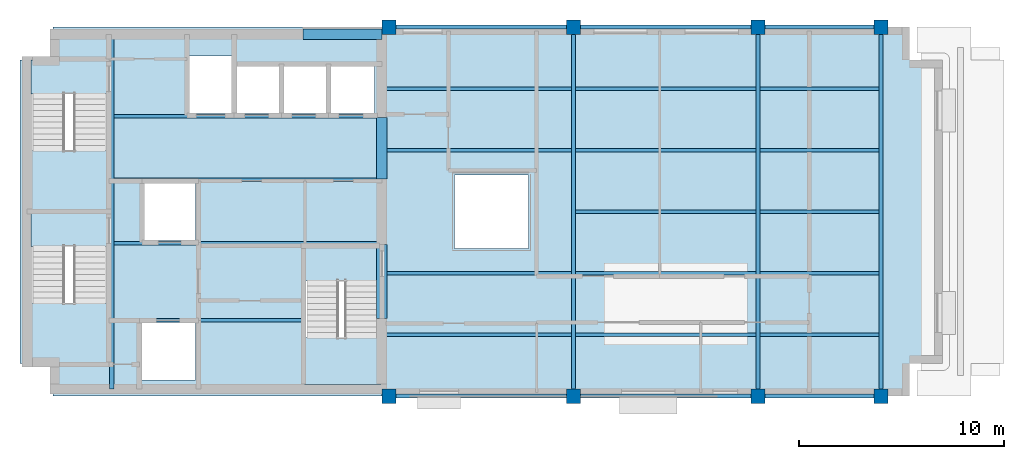
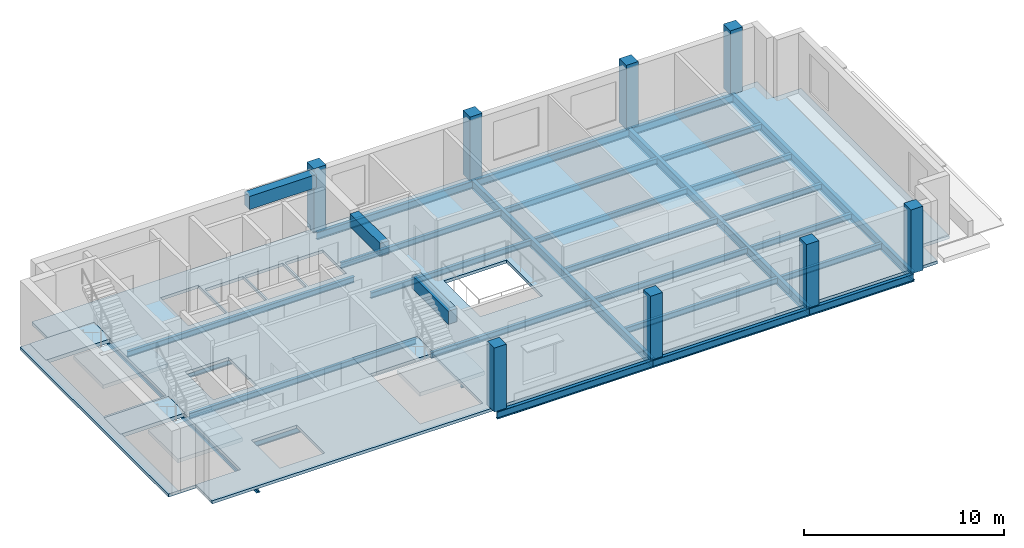
# One storey, part 1 of 5: 31 beams, 8 columns, 7 slabs, 3 elements without a shape of their own.
"""IFC4 building model written with IfcOpenShell, lengths in metres."""

from ifc_helpers import new_model, si_unit, direction, frame, origin, origin_2d, place, context, subcontext, project, spatial, polyline, rectangle, i_section, outline, extrude, material, layer, layer_set, material_profile, profile_set, type_object, element, aggregate, save


model = new_model("IFC4")

# Units and contexts
model_context = context("Model", 3, precision=1e-05, world=origin(), true_north=direction((0.0, 1.0)))
body_context = subcontext(model_context, "Body", "Model", "MODEL_VIEW")
ifc_project = project(units=[si_unit("LENGTHUNIT", "METRE"), si_unit("AREAUNIT", "SQUARE_METRE"), si_unit("VOLUMEUNIT", "CUBIC_METRE"), si_unit("PLANEANGLEUNIT", "RADIAN"), si_unit("MASSUNIT", "GRAM", prefix="KILO")], contexts=[model_context])

# Site, building, storey
site_placement = place(None, origin())
site = spatial("IfcSite", under=ifc_project, at=site_placement, CompositionType="ELEMENT")
building_placement = place(site_placement, origin())
building = spatial("IfcBuilding", under=site, at=building_placement, Name="Mawjdan Bourse Tower", CompositionType="ELEMENT")
storey_placement = place(building_placement, frame((0.0, 0.0, 285.89990234375)))
storey = spatial("IfcBuildingStorey", under=building, at=storey_placement, Name="L70", CompositionType="ELEMENT", Elevation=285.89990234375)

# Columns
ifc_material_1 = material(Name="Concrete C60/75", Category="concrete")
ifc_material_profile_1 = material_profile(ifc_material_1, rectangle(XDim=0.699951171875, YDim=0.699951171875, at=origin_2d()), Name="RC700X700")
ifc_profile_set_1 = profile_set([ifc_material_profile_1], Name="Concrete C60/75")
column_type = type_object("IfcColumnType", Name="COL-RC700X700", PredefinedType="COLUMN", material=ifc_profile_set_1)
for number, where, z_axis, x_axis, name in (
    (1, (24.0, 3.0, 0.0), (0.0, 0.0, 1.0), (1.0, 0.0, 0.0), "L70 Structural Column C-X240-Y30"),
    (2, (24.0, 21.0, 0.0), (0.0, 0.0, 1.0), (1.0, 0.0, 0.0), "L70 Structural Column C-X240-Y210"),
    (3, (33.0, 3.0, 0.0), (0.0, 0.0, 1.0), (1.0, 0.0, 0.0), "L70 Structural Column C-X330-Y30"),
    (4, (33.0, 21.0, 0.0), (0.0, 0.0, 1.0), (1.0, 0.0, 0.0), "L70 Structural Column C-X330-Y210"),
    (5, (42.0, 3.0, 0.0), (0.0, 0.0, 1.0), (1.0, 0.0, 0.0), "L70 Structural Column C-X420-Y30"),
    (6, (42.0, 21.0, 0.0), (0.0, 0.0, 1.0), (1.0, 0.0, 0.0), "L70 Structural Column C-X420-Y210"),
    (7, (48.0, 3.0, 0.0), (0.0, 0.0, 1.0), (1.0, 0.0, 0.0), "L70 Structural Column C-X480-Y30"),
    (8, (48.0, 21.0, 0.0), (0.0, 0.0, 1.0), (1.0, 0.0, 0.0), "L70 Structural Column C-X480-Y210"),
):
    element("IfcColumn", number, at=place(storey_placement, frame(where, z_axis=z_axis, x_axis=x_axis)), inside=storey, type_object=column_type, Name=name, PredefinedType="COLUMN", context=body_context, shape_type="SweptSolid", body=[
        extrude(rectangle(XDim=0.699951171875, YDim=0.699951171875, at=origin_2d()), origin(), (0.0, 0.0, 1.0), 3.900146484375),
    ])

# Beams
ifc_material_2 = material(Name="Structural Steel S355", Category="steel")
ifc_material_profile_2 = material_profile(ifc_material_2, i_section(OverallWidth=0.2099609375, OverallDepth=0.537109375, WebThickness=0.010986328125, FlangeThickness=0.017333984375, FilletRadius=0.013916015625, at=origin_2d()), Name="W21X68")
ifc_profile_set_2 = profile_set([ifc_material_profile_2], Name="Structural Steel S355")
beam_type_1 = type_object("IfcBeamType", Name="GRD-W21X68", PredefinedType="BEAM", material=ifc_profile_set_2)
beam_1_placement = place(storey_placement, frame((10.47998046875, 3.35009765625, -0.453369140625), z_axis=(0.0, 1.0, 0.0), x_axis=(-1.0, 0.0, 0.0)))
element("IfcBeam", 9, at=beam_1_placement, inside=storey, type_object=beam_type_1, Name="L70 Core Stair Trimmer Girder 001", PredefinedType="BEAM", context=body_context, shape_type="SweptSolid", body=[
    extrude(i_section(OverallWidth=0.2099609375, OverallDepth=0.537109375, WebThickness=0.010986328125, FlangeThickness=0.017333984375, FilletRadius=0.013916015625, at=origin_2d()), origin(), (0.0, 0.0, 1.0), 17.2998046875),
])
for number, where, z_axis, x_axis, name in (
    (10, (33.0, 3.0, -0.453369140625), (0.0, 1.0, 0.0), (-1.0, 0.0, 0.0), "L70 East Wing Clear-Span Girder 002"),
    (11, (42.0, 3.0, -0.453369140625), (0.0, 1.0, 0.0), (-1.0, 0.0, 0.0), "L70 East Wing Clear-Span Girder 003"),
    (12, (48.0, 3.0, -0.453369140625), (0.0, 1.0, 0.0), (-1.0, 0.0, 0.0), "L70 East Wing Clear-Span Girder 004"),
):
    element("IfcBeam", number, at=place(storey_placement, frame(where, z_axis=z_axis, x_axis=x_axis)), inside=storey, type_object=beam_type_1, Name=name, PredefinedType="BEAM", context=body_context, shape_type="SweptSolid", body=[
        extrude(i_section(OverallWidth=0.2099609375, OverallDepth=0.537109375, WebThickness=0.010986328125, FlangeThickness=0.017333984375, FilletRadius=0.013916015625, at=origin_2d()), origin(), (0.0, 0.0, 1.0), 18.0),
    ])
ifc_material_profile_3 = material_profile(ifc_material_2, i_section(OverallWidth=0.1708984375, OverallDepth=0.35107421875, WebThickness=0.0068359375, FlangeThickness=0.009765625, FilletRadius=0.0078125, at=origin_2d()), Name="W14X30")
ifc_profile_set_3 = profile_set([ifc_material_profile_3], Name="Structural Steel S355")
beam_type_2 = type_object("IfcBeamType", Name="JST-W14X30", PredefinedType="JOIST", material=ifc_profile_set_3)
beam_2_placement = place(storey_placement, frame((23.64990234375, 6.0, -0.3603515625), z_axis=(1.0, 0.0, 0.0), x_axis=(0.0, 1.0, 0.0)))
element("IfcBeam", 13, at=beam_2_placement, inside=storey, type_object=beam_type_2, Name="L70 East Wing Composite Joist 011", PredefinedType="JOIST", context=body_context, shape_type="SweptSolid", body=[
    extrude(i_section(OverallWidth=0.1708984375, OverallDepth=0.35107421875, WebThickness=0.0068359375, FlangeThickness=0.009765625, FilletRadius=0.0078125, at=origin_2d()), origin(), (0.0, 0.0, 1.0), 9.2470703125),
])
beam_3_placement = place(storey_placement, frame((33.10302734375, 6.0, -0.3603515625), z_axis=(1.0, 0.0, 0.0), x_axis=(0.0, 1.0, 0.0)))
element("IfcBeam", 14, at=beam_3_placement, inside=storey, type_object=beam_type_2, Name="L70 East Wing Composite Joist 012", PredefinedType="JOIST", context=body_context, shape_type="SweptSolid", body=[
    extrude(i_section(OverallWidth=0.1708984375, OverallDepth=0.35107421875, WebThickness=0.0068359375, FlangeThickness=0.009765625, FilletRadius=0.0078125, at=origin_2d()), origin(), (0.0, 0.0, 1.0), 8.7939453125),
])
beam_4_placement = place(storey_placement, frame((42.10302734375, 6.0, -0.3603515625), z_axis=(1.0, 0.0, 0.0), x_axis=(0.0, 1.0, 0.0)))
element("IfcBeam", 15, at=beam_4_placement, inside=storey, type_object=beam_type_2, Name="L70 East Wing Composite Joist 013", PredefinedType="JOIST", context=body_context, shape_type="SweptSolid", body=[
    extrude(i_section(OverallWidth=0.1708984375, OverallDepth=0.35107421875, WebThickness=0.0068359375, FlangeThickness=0.009765625, FilletRadius=0.0078125, at=origin_2d()), origin(), (0.0, 0.0, 1.0), 5.7939453125),
])
beam_5_placement = place(storey_placement, frame((23.64990234375, 9.0, -0.3603515625), z_axis=(1.0, 0.0, 0.0), x_axis=(0.0, 1.0, 0.0)))
element("IfcBeam", 16, at=beam_5_placement, inside=storey, type_object=beam_type_2, Name="L70 East Wing Composite Joist 014", PredefinedType="JOIST", context=body_context, shape_type="SweptSolid", body=[
    extrude(i_section(OverallWidth=0.1708984375, OverallDepth=0.35107421875, WebThickness=0.0068359375, FlangeThickness=0.009765625, FilletRadius=0.0078125, at=origin_2d()), origin(), (0.0, 0.0, 1.0), 9.2470703125),
])
beam_6_placement = place(storey_placement, frame((33.10302734375, 9.0, -0.3603515625), z_axis=(1.0, 0.0, 0.0), x_axis=(0.0, 1.0, 0.0)))
element("IfcBeam", 17, at=beam_6_placement, inside=storey, type_object=beam_type_2, Name="L70 East Wing Composite Joist 015", PredefinedType="JOIST", context=body_context, shape_type="SweptSolid", body=[
    extrude(i_section(OverallWidth=0.1708984375, OverallDepth=0.35107421875, WebThickness=0.0068359375, FlangeThickness=0.009765625, FilletRadius=0.0078125, at=origin_2d()), origin(), (0.0, 0.0, 1.0), 8.7939453125),
])
beam_7_placement = place(storey_placement, frame((42.10302734375, 9.0, -0.3603515625), z_axis=(1.0, 0.0, 0.0), x_axis=(0.0, 1.0, 0.0)))
element("IfcBeam", 18, at=beam_7_placement, inside=storey, type_object=beam_type_2, Name="L70 East Wing Composite Joist 016", PredefinedType="JOIST", context=body_context, shape_type="SweptSolid", body=[
    extrude(i_section(OverallWidth=0.1708984375, OverallDepth=0.35107421875, WebThickness=0.0068359375, FlangeThickness=0.009765625, FilletRadius=0.0078125, at=origin_2d()), origin(), (0.0, 0.0, 1.0), 5.7939453125),
])
beam_8_placement = place(storey_placement, frame((33.10302734375, 12.0, -0.3603515625), z_axis=(1.0, 0.0, 0.0), x_axis=(0.0, 1.0, 0.0)))
element("IfcBeam", 19, at=beam_8_placement, inside=storey, type_object=beam_type_2, Name="L70 East Wing Composite Joist 017", PredefinedType="JOIST", context=body_context, shape_type="SweptSolid", body=[
    extrude(i_section(OverallWidth=0.1708984375, OverallDepth=0.35107421875, WebThickness=0.0068359375, FlangeThickness=0.009765625, FilletRadius=0.0078125, at=origin_2d()), origin(), (0.0, 0.0, 1.0), 8.7939453125),
])
beam_9_placement = place(storey_placement, frame((42.10302734375, 12.0, -0.3603515625), z_axis=(1.0, 0.0, 0.0), x_axis=(0.0, 1.0, 0.0)))
element("IfcBeam", 20, at=beam_9_placement, inside=storey, type_object=beam_type_2, Name="L70 East Wing Composite Joist 018", PredefinedType="JOIST", context=body_context, shape_type="SweptSolid", body=[
    extrude(i_section(OverallWidth=0.1708984375, OverallDepth=0.35107421875, WebThickness=0.0068359375, FlangeThickness=0.009765625, FilletRadius=0.0078125, at=origin_2d()), origin(), (0.0, 0.0, 1.0), 5.7939453125),
])
beam_10_placement = place(storey_placement, frame((23.64990234375, 15.0, -0.3603515625), z_axis=(1.0, 0.0, 0.0), x_axis=(0.0, 1.0, 0.0)))
element("IfcBeam", 21, at=beam_10_placement, inside=storey, type_object=beam_type_2, Name="L70 East Wing Composite Joist 019", PredefinedType="JOIST", context=body_context, shape_type="SweptSolid", body=[
    extrude(i_section(OverallWidth=0.1708984375, OverallDepth=0.35107421875, WebThickness=0.0068359375, FlangeThickness=0.009765625, FilletRadius=0.0078125, at=origin_2d()), origin(), (0.0, 0.0, 1.0), 9.2470703125),
])
beam_11_placement = place(storey_placement, frame((33.10302734375, 15.0, -0.3603515625), z_axis=(1.0, 0.0, 0.0), x_axis=(0.0, 1.0, 0.0)))
element("IfcBeam", 22, at=beam_11_placement, inside=storey, type_object=beam_type_2, Name="L70 East Wing Composite Joist 020", PredefinedType="JOIST", context=body_context, shape_type="SweptSolid", body=[
    extrude(i_section(OverallWidth=0.1708984375, OverallDepth=0.35107421875, WebThickness=0.0068359375, FlangeThickness=0.009765625, FilletRadius=0.0078125, at=origin_2d()), origin(), (0.0, 0.0, 1.0), 8.7939453125),
])
beam_12_placement = place(storey_placement, frame((42.10302734375, 15.0, -0.3603515625), z_axis=(1.0, 0.0, 0.0), x_axis=(0.0, 1.0, 0.0)))
element("IfcBeam", 23, at=beam_12_placement, inside=storey, type_object=beam_type_2, Name="L70 East Wing Composite Joist 021", PredefinedType="JOIST", context=body_context, shape_type="SweptSolid", body=[
    extrude(i_section(OverallWidth=0.1708984375, OverallDepth=0.35107421875, WebThickness=0.0068359375, FlangeThickness=0.009765625, FilletRadius=0.0078125, at=origin_2d()), origin(), (0.0, 0.0, 1.0), 5.7939453125),
])
beam_13_placement = place(storey_placement, frame((23.64990234375, 18.0, -0.3603515625), z_axis=(1.0, 0.0, 0.0), x_axis=(0.0, 1.0, 0.0)))
element("IfcBeam", 24, at=beam_13_placement, inside=storey, type_object=beam_type_2, Name="L70 East Wing Composite Joist 022", PredefinedType="JOIST", context=body_context, shape_type="SweptSolid", body=[
    extrude(i_section(OverallWidth=0.1708984375, OverallDepth=0.35107421875, WebThickness=0.0068359375, FlangeThickness=0.009765625, FilletRadius=0.0078125, at=origin_2d()), origin(), (0.0, 0.0, 1.0), 9.2470703125),
])
beam_14_placement = place(storey_placement, frame((33.10302734375, 18.0, -0.3603515625), z_axis=(1.0, 0.0, 0.0), x_axis=(0.0, 1.0, 0.0)))
element("IfcBeam", 25, at=beam_14_placement, inside=storey, type_object=beam_type_2, Name="L70 East Wing Composite Joist 023", PredefinedType="JOIST", context=body_context, shape_type="SweptSolid", body=[
    extrude(i_section(OverallWidth=0.1708984375, OverallDepth=0.35107421875, WebThickness=0.0068359375, FlangeThickness=0.009765625, FilletRadius=0.0078125, at=origin_2d()), origin(), (0.0, 0.0, 1.0), 8.7939453125),
])
beam_15_placement = place(storey_placement, frame((42.10302734375, 18.0, -0.3603515625), z_axis=(1.0, 0.0, 0.0), x_axis=(0.0, 1.0, 0.0)))
element("IfcBeam", 26, at=beam_15_placement, inside=storey, type_object=beam_type_2, Name="L70 East Wing Composite Joist 024", PredefinedType="JOIST", context=body_context, shape_type="SweptSolid", body=[
    extrude(i_section(OverallWidth=0.1708984375, OverallDepth=0.35107421875, WebThickness=0.0068359375, FlangeThickness=0.009765625, FilletRadius=0.0078125, at=origin_2d()), origin(), (0.0, 0.0, 1.0), 5.7939453125),
])
beam_16_placement = place(storey_placement, frame((10.5830078125, 6.699951171875, -0.3603515625), z_axis=(1.0, 0.0, 0.0), x_axis=(0.0, 1.0, 0.0)))
element("IfcBeam", 27, at=beam_16_placement, inside=storey, type_object=beam_type_2, Name="L70 Core Floor Joist 025", PredefinedType="JOIST", context=body_context, shape_type="SweptSolid", body=[
    extrude(i_section(OverallWidth=0.1708984375, OverallDepth=0.35107421875, WebThickness=0.0068359375, FlangeThickness=0.009765625, FilletRadius=0.0078125, at=origin_2d()), origin(), (0.0, 0.0, 1.0), 9.2470703125),
])
for number, where, z_axis, x_axis, name in (
    (28, (10.5830078125, 10.449951171875, -0.3603515625), (1.0, 0.0, 0.0), (0.0, 1.0, 0.0), "L70 Core Floor Joist 026"),
    (29, (10.5830078125, 13.550048828125, -0.3603515625), (1.0, 0.0, 0.0), (0.0, 1.0, 0.0), "L70 Core Floor Joist 027"),
    (30, (10.5830078125, 16.64990234375, -0.3603515625), (1.0, 0.0, 0.0), (0.0, 1.0, 0.0), "L70 Core Floor Joist 028"),
):
    element("IfcBeam", number, at=place(storey_placement, frame(where, z_axis=z_axis, x_axis=x_axis)), inside=storey, type_object=beam_type_2, Name=name, PredefinedType="JOIST", context=body_context, shape_type="SweptSolid", body=[
        extrude(i_section(OverallWidth=0.1708984375, OverallDepth=0.35107421875, WebThickness=0.0068359375, FlangeThickness=0.009765625, FilletRadius=0.0078125, at=origin_2d()), origin(), (0.0, 0.0, 1.0), 13.06689453125),
    ])
ifc_material_3 = material(Name="Concrete C70/85", Category="concrete")
ifc_material_profile_4 = material_profile(ifc_material_3, rectangle(XDim=0.5, YDim=0.800048828125, at=origin_2d()), Name="RCB500X800")
ifc_profile_set_4 = profile_set([ifc_material_profile_4], Name="Concrete C70/85")
beam_type_3 = type_object("IfcBeamType", Name="LNT-RCB500X800", PredefinedType="LINTEL", material=ifc_profile_set_4)
beam_17_placement = place(storey_placement, frame((23.64990234375, 6.800048828125, 3.315185546875), z_axis=(0.0, 1.0, 0.0), x_axis=(-1.0, 0.0, 0.0)))
element("IfcBeam", 31, at=beam_17_placement, inside=storey, type_object=beam_type_3, Name="L70 Coupled Core Lintel CB-E1", PredefinedType="LINTEL", context=body_context, shape_type="SweptSolid", body=[
    extrude(rectangle(XDim=0.5, YDim=0.800048828125, at=origin_2d()), origin(), (0.0, 0.0, 1.0), 3.599853515625),
])
beam_18_placement = place(storey_placement, frame((23.64990234375, 13.60009765625, 3.315185546875), z_axis=(0.0, 1.0, 0.0), x_axis=(-1.0, 0.0, 0.0)))
element("IfcBeam", 32, at=beam_18_placement, inside=storey, type_object=beam_type_3, Name="L70 Coupled Core Lintel CB-E2", PredefinedType="LINTEL", context=body_context, shape_type="SweptSolid", body=[
    extrude(rectangle(XDim=0.5, YDim=0.800048828125, at=origin_2d()), origin(), (0.0, 0.0, 1.0), 3.0),
])
beam_19_placement = place(storey_placement, frame((19.800048828125, 20.64990234375, 3.315185546875), z_axis=(1.0, 0.0, 0.0), x_axis=(0.0, 1.0, 0.0)))
element("IfcBeam", 33, at=beam_19_placement, inside=storey, type_object=beam_type_3, Name="L70 Coupled Core Lintel CB-N1", PredefinedType="LINTEL", context=body_context, shape_type="SweptSolid", body=[
    extrude(rectangle(XDim=0.5, YDim=0.800048828125, at=origin_2d()), origin(), (0.0, 0.0, 1.0), 3.849853515625),
])
ifc_material_profile_5 = material_profile(ifc_material_2, i_section(OverallWidth=0.18994140625, OverallDepth=0.45703125, WebThickness=0.009033203125, FlangeThickness=0.014404296875, FilletRadius=0.01171875, at=origin_2d()), Name="W18X50")
ifc_profile_set_5 = profile_set([ifc_material_profile_5], Name="Structural Steel S355")
beam_type_4 = type_object("IfcBeamType", Name="SPN-W18X50", PredefinedType="SPANDREL", material=ifc_profile_set_5)
for number, where, z_axis, x_axis, name in (
    (34, (24.0, 3.0, -0.48828125), (1.0, 0.0, 0.0), (0.0, 1.0, 0.0), "L70 Perimeter Masonry-Shelf Spandrel 005"),
    (35, (33.0, 3.0, -0.48828125), (1.0, 0.0, 0.0), (0.0, 1.0, 0.0), "L70 Perimeter Masonry-Shelf Spandrel 006"),
):
    element("IfcBeam", number, at=place(storey_placement, frame(where, z_axis=z_axis, x_axis=x_axis)), inside=storey, type_object=beam_type_4, Name=name, PredefinedType="SPANDREL", context=body_context, shape_type="SweptSolid", body=[
        extrude(i_section(OverallWidth=0.18994140625, OverallDepth=0.45703125, WebThickness=0.009033203125, FlangeThickness=0.014404296875, FilletRadius=0.01171875, at=origin_2d()), origin(), (0.0, 0.0, 1.0), 9.0),
    ])
beam_20_placement = place(storey_placement, frame((42.0, 3.0, -0.48828125), z_axis=(1.0, 0.0, 0.0), x_axis=(0.0, 1.0, 0.0)))
element("IfcBeam", 36, at=beam_20_placement, inside=storey, type_object=beam_type_4, Name="L70 Perimeter Masonry-Shelf Spandrel 007", PredefinedType="SPANDREL", context=body_context, shape_type="SweptSolid", body=[
    extrude(i_section(OverallWidth=0.18994140625, OverallDepth=0.45703125, WebThickness=0.009033203125, FlangeThickness=0.014404296875, FilletRadius=0.01171875, at=origin_2d()), origin(), (0.0, 0.0, 1.0), 6.0),
])
for number, where, z_axis, x_axis, name in (
    (37, (24.0, 21.0, -0.48828125), (1.0, 0.0, 0.0), (0.0, 1.0, 0.0), "L70 Perimeter Masonry-Shelf Spandrel 008"),
    (38, (33.0, 21.0, -0.48828125), (1.0, 0.0, 0.0), (0.0, 1.0, 0.0), "L70 Perimeter Masonry-Shelf Spandrel 009"),
):
    element("IfcBeam", number, at=place(storey_placement, frame(where, z_axis=z_axis, x_axis=x_axis)), inside=storey, type_object=beam_type_4, Name=name, PredefinedType="SPANDREL", context=body_context, shape_type="SweptSolid", body=[
        extrude(i_section(OverallWidth=0.18994140625, OverallDepth=0.45703125, WebThickness=0.009033203125, FlangeThickness=0.014404296875, FilletRadius=0.01171875, at=origin_2d()), origin(), (0.0, 0.0, 1.0), 9.0),
    ])
beam_21_placement = place(storey_placement, frame((42.0, 21.0, -0.48828125), z_axis=(1.0, 0.0, 0.0), x_axis=(0.0, 1.0, 0.0)))
element("IfcBeam", 39, at=beam_21_placement, inside=storey, type_object=beam_type_4, Name="L70 Perimeter Masonry-Shelf Spandrel 010", PredefinedType="SPANDREL", context=body_context, shape_type="SweptSolid", body=[
    extrude(i_section(OverallWidth=0.18994140625, OverallDepth=0.45703125, WebThickness=0.009033203125, FlangeThickness=0.014404296875, FilletRadius=0.01171875, at=origin_2d()), origin(), (0.0, 0.0, 1.0), 6.0),
])

# Stair, slabs
ifc_material_4 = material(Name="Concrete C50/60", Category="concrete")
stair_type = type_object("IfcStairType", Name="STR-CORE-1500", PredefinedType="HALF_TURN_STAIR", material=ifc_material_4)
stair_1_placement = place(storey_placement, origin())
stair_1 = element("IfcStair", 40, at=stair_1_placement, inside=storey, type_object=stair_type, Name="L70 Exit Stair 1 (Core South-West)", PredefinedType="HALF_TURN_STAIR")
ifc_layer_1 = layer(ifc_material_4, 0.22998046875)
ifc_layer_set_1 = layer_set([ifc_layer_1], Name="Concrete C50/60")
slab_type_1 = type_object("IfcSlabType", Name="SL-LND-230", PredefinedType="LANDING", material=ifc_layer_set_1)
slab_1_placement = place(storey_placement, frame((0.0, 0.0, -0.22998046875)))
slab_1 = element("IfcSlab", 41, at=slab_1_placement, type_object=slab_type_1, Name="ST1-L70 landing 1", PredefinedType="LANDING", context=body_context, shape_type="SweptSolid", body=[
    extrude(outline(polyline([(6.5400390625, 10.31005859375), (10.260009765625, 10.31005859375), (10.260009765625, 11.969970703125), (6.5400390625, 11.969970703125), (6.5400390625, 10.31005859375)])), origin(), (0.0, 0.0, 1.0), 0.22998046875),
])
slab_2_placement = place(storey_placement, frame((0.0, 0.0, 1.72021484375)))
slab_2 = element("IfcSlab", 42, at=slab_2_placement, type_object=slab_type_1, Name="ST1-L70 landing 2", PredefinedType="LANDING", context=body_context, shape_type="SweptSolid", body=[
    extrude(outline(polyline([(6.5400390625, 4.590087890625), (10.260009765625, 4.590087890625), (10.260009765625, 7.5400390625), (6.5400390625, 7.5400390625), (6.5400390625, 4.590087890625)])), origin(), (0.0, 0.0, 1.0), 0.22998046875),
])
aggregate(stair_1, [slab_1, slab_2])

stair_2_placement = place(storey_placement, origin())
stair_2 = element("IfcStair", 43, at=stair_2_placement, inside=storey, type_object=stair_type, Name="L70 Exit Stair 2 (Core North-West)", PredefinedType="HALF_TURN_STAIR")
slab_3_placement = place(storey_placement, frame((0.0, 0.0, -0.22998046875)))
slab_3 = element("IfcSlab", 44, at=slab_3_placement, type_object=slab_type_1, Name="ST2-L70 landing 1", PredefinedType="LANDING", context=body_context, shape_type="SweptSolid", body=[
    extrude(outline(polyline([(6.5400390625, 17.75), (10.260009765625, 17.75), (10.260009765625, 19.409912109375), (6.5400390625, 19.409912109375), (6.5400390625, 17.75)])), origin(), (0.0, 0.0, 1.0), 0.22998046875),
])
slab_4_placement = place(storey_placement, frame((0.0, 0.0, 1.72021484375)))
slab_4 = element("IfcSlab", 45, at=slab_4_placement, type_object=slab_type_1, Name="ST2-L70 landing 2", PredefinedType="LANDING", context=body_context, shape_type="SweptSolid", body=[
    extrude(outline(polyline([(6.5400390625, 12.030029296875), (10.260009765625, 12.030029296875), (10.260009765625, 14.97998046875), (6.5400390625, 14.97998046875), (6.5400390625, 12.030029296875)])), origin(), (0.0, 0.0, 1.0), 0.22998046875),
])
aggregate(stair_2, [slab_3, slab_4])

stair_3_placement = place(storey_placement, origin())
stair_3 = element("IfcStair", 46, at=stair_3_placement, inside=storey, type_object=stair_type, Name="L70 Exit Stair 7 (Core South-East)", PredefinedType="HALF_TURN_STAIR")
slab_5_placement = place(storey_placement, frame((0.0, 0.0, -0.22998046875)))
slab_5 = element("IfcSlab", 47, at=slab_5_placement, type_object=slab_type_1, Name="ST7-L70 landing 1", PredefinedType="LANDING", context=body_context, shape_type="SweptSolid", body=[
    extrude(outline(polyline([(19.889892578125, 8.6201171875), (23.610107421875, 8.6201171875), (23.610107421875, 10.280029296875), (19.889892578125, 10.280029296875), (19.889892578125, 8.6201171875)])), origin(), (0.0, 0.0, 1.0), 0.22998046875),
])
slab_6_placement = place(storey_placement, frame((0.0, 0.0, 1.72021484375)))
slab_6 = element("IfcSlab", 48, at=slab_6_placement, type_object=slab_type_1, Name="ST7-L70 landing 2", PredefinedType="LANDING", context=body_context, shape_type="SweptSolid", body=[
    extrude(outline(polyline([(19.889892578125, 3.56005859375), (23.610107421875, 3.56005859375), (23.610107421875, 5.85009765625), (19.889892578125, 5.85009765625), (19.889892578125, 3.56005859375)])), origin(), (0.0, 0.0, 1.0), 0.22998046875),
])
aggregate(stair_3, [slab_5, slab_6])

# Slab
ifc_layer_2 = layer(ifc_material_4, 0.18505859375)
ifc_layer_set_2 = layer_set([ifc_layer_2], Name="Concrete C50/60")
slab_type_2 = type_object("IfcSlabType", Name="SL-SMT-185", PredefinedType="FLOOR", material=ifc_layer_set_2)
slab_7_placement = place(storey_placement, frame((0.0, 0.0, -0.184814453125)))
element("IfcSlab", 49, at=slab_7_placement, inside=storey, type_object=slab_type_2, Name="L70 Structural Floor Slab 1", PredefinedType="FLOOR", context=body_context, shape_type="SweptSolid", body=[
    extrude(outline(polyline([(7.60009765625, 3.0), (49.39990234375, 3.0), (49.39990234375, 4.60009765625), (51.0, 4.60009765625), (51.0, 19.39990234375), (49.39990234375, 19.39990234375), (49.39990234375, 21.0), (7.60009765625, 21.0), (7.60009765625, 19.39990234375), (6.0, 19.39990234375), (6.0, 4.60009765625), (7.60009765625, 4.60009765625), (7.60009765625, 3.0)]), holes=[polyline([(14.550048828125, 3.800048828125), (11.949951171875, 3.800048828125), (11.949951171875, 6.60009765625), (14.550048828125, 6.60009765625), (14.550048828125, 3.800048828125)]), polyline([(10.260009765625, 11.969970703125), (10.260009765625, 10.31005859375), (10.199951171875, 10.31005859375), (10.199951171875, 4.64990234375), (6.60009765625, 4.64990234375), (6.60009765625, 10.31005859375), (6.5400390625, 10.31005859375), (6.5400390625, 11.969970703125), (10.260009765625, 11.969970703125)]), polyline([(14.550048828125, 10.60009765625), (12.050048828125, 10.60009765625), (12.050048828125, 13.39990234375), (14.550048828125, 13.39990234375), (14.550048828125, 10.60009765625)]), polyline([(6.60009765625, 12.090087890625), (6.60009765625, 17.75), (6.5400390625, 17.75), (6.5400390625, 19.3798828125), (7.60009765625, 19.3798828125), (7.60205078125, 19.380126953125), (7.60400390625, 19.38037109375), (7.605712890625, 19.380859375), (7.607666015625, 19.381591796875), (7.609375, 19.38232421875), (7.611083984375, 19.38330078125), (7.61279296875, 19.384521484375), (7.614013671875, 19.385986328125), (7.615478515625, 19.38720703125), (7.61669921875, 19.388916015625), (7.61767578125, 19.390625), (7.618408203125, 19.392333984375), (7.619140625, 19.394287109375), (7.61962890625, 19.39599609375), (7.619873046875, 19.39794921875), (7.6201171875, 19.39990234375), (7.6201171875, 19.409912109375), (10.260009765625, 19.409912109375), (10.260009765625, 17.75), (10.199951171875, 17.75), (10.199951171875, 12.090087890625), (6.60009765625, 12.090087890625)]), polyline([(14.199951171875, 16.800048828125), (14.199951171875, 19.60009765625), (16.39990234375, 19.60009765625), (16.39990234375, 16.800048828125), (14.199951171875, 16.800048828125)]), polyline([(23.610107421875, 10.280029296875), (23.610107421875, 8.6201171875), (23.550048828125, 8.6201171875), (23.550048828125, 3.6201171875), (19.949951171875, 3.6201171875), (19.949951171875, 8.6201171875), (19.889892578125, 8.6201171875), (19.889892578125, 10.280029296875), (23.610107421875, 10.280029296875)]), polyline([(27.199951171875, 10.199951171875), (27.199951171875, 13.800048828125), (30.800048828125, 13.800048828125), (30.800048828125, 10.199951171875), (27.199951171875, 10.199951171875)]), polyline([(16.5, 16.800048828125), (16.5, 19.14990234375), (18.699951171875, 19.14990234375), (18.699951171875, 16.800048828125), (16.5, 16.800048828125)]), polyline([(18.800048828125, 16.800048828125), (18.800048828125, 19.14990234375), (21.0, 19.14990234375), (21.0, 16.800048828125), (18.800048828125, 16.800048828125)]), polyline([(21.10009765625, 16.800048828125), (21.10009765625, 19.14990234375), (23.300048828125, 19.14990234375), (23.300048828125, 16.800048828125), (21.10009765625, 16.800048828125)])]), origin(), (0.0, 0.0, 1.0), 0.184814453125),
])

save(model, "model.ifc")
